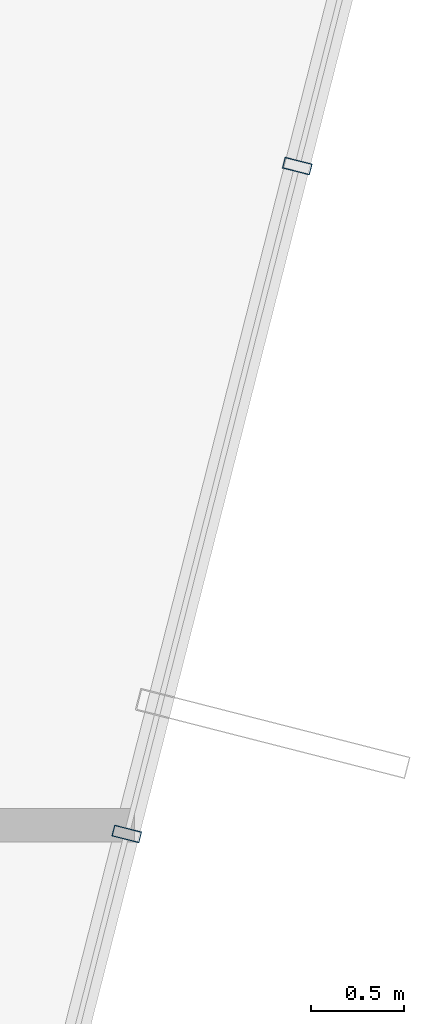
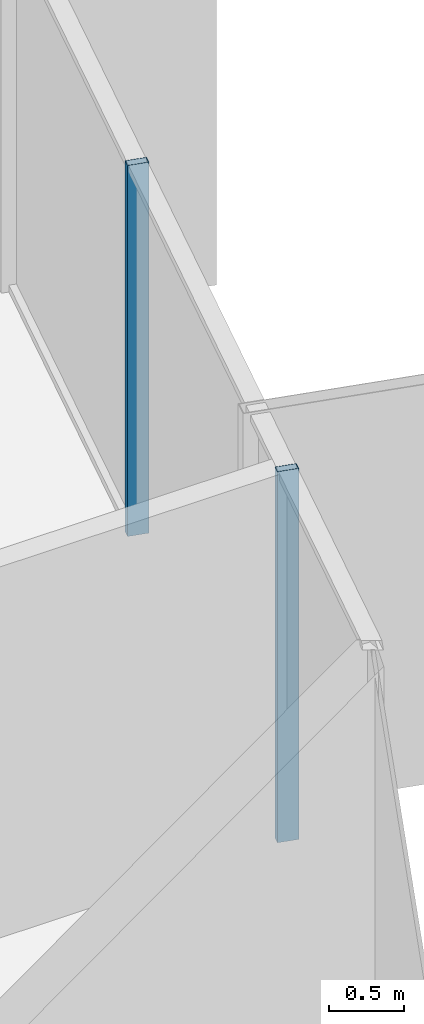
# One storey, part 18 of 29: 2 members, 1 element without a shape of its own.
"""IFC4 building model written with IfcOpenShell, lengths in metres."""

from ifc_helpers import new_model, si_unit, direction, frame, origin, origin_2d, place, context, subcontext, project, spatial, hollow_rectangle, extrude, source, transform, mapped, material, layer, layer_set, material_profile, profile_set, type_object, element, aggregate, save


model = new_model("IFC4")

# Units and contexts
model_context = context("Model", 3, precision=1e-05, world=origin(), true_north=direction((0.0, 1.0)))
body_context = subcontext(model_context, "Body", "Model", "MODEL_VIEW")
ifc_project = project(units=[si_unit("LENGTHUNIT", "METRE"), si_unit("AREAUNIT", "SQUARE_METRE"), si_unit("VOLUMEUNIT", "CUBIC_METRE"), si_unit("PLANEANGLEUNIT", "RADIAN"), si_unit("MASSUNIT", "GRAM", prefix="KILO")], contexts=[model_context])

# Site, building, storey
site_placement = place(None, origin())
site = spatial("IfcSite", under=ifc_project, at=site_placement, CompositionType="ELEMENT")
building_placement = place(site_placement, origin())
building = spatial("IfcBuilding", under=site, at=building_placement, Name="Veraguas Prism Commons", CompositionType="ELEMENT")
storey_placement = place(building_placement, frame((0.0, 0.0, 257.75)))
storey = spatial("IfcBuildingStorey", under=building, at=storey_placement, Name="L73", CompositionType="ELEMENT", Elevation=257.75)

# Curtain wall, members
ifc_material = material(Name="Anodised aluminium EN AW-6063 T6", Category="aluminium")
ifc_layer = layer(ifc_material, 0.14990234375, Name="Unitised Flush Curtain Wall Zone 4", Category="aluminium")
ifc_layer_set = layer_set([ifc_layer], Name="Anodised aluminium EN AW-6063 T6")
curtain_wall_type = type_object("IfcCurtainWallType", Name="Unitised Flush Curtain Wall Zone 4", PredefinedType="NOTDEFINED", material=ifc_layer_set)
curtain_wall_placement = place(storey_placement, origin())
curtain_wall = element("IfcCurtainWall", 1, at=curtain_wall_placement, inside=storey, type_object=curtain_wall_type, Name="Tower Facade Curtain Wall L73-F6", PredefinedType="NOTDEFINED")
ifc_material_profile = material_profile(ifc_material, hollow_rectangle(XDim=0.06005859375, YDim=0.14990234375, WallThickness=0.0029296875, at=origin_2d()), Name="AL60X150X3")
ifc_profile_set = profile_set([ifc_material_profile], Name="Anodised aluminium EN AW-6063 T6")
member_type = type_object("IfcMemberType", Name="Curtain Wall Mullion Upper AL 60x150x3", PredefinedType="MULLION", material=ifc_profile_set)
shared_shape = source(origin(), body_context, "Body", "SweptSolid", [
    extrude(hollow_rectangle(XDim=0.06005859375, YDim=0.14990234375, WallThickness=0.0029296875, at=origin_2d()), origin(), (0.0, 0.0, 1.0), 3.014892578125),
])
member_1_placement = place(storey_placement, frame((39.0302734375, 16.353271484375, 0.0), z_axis=(0.0, 0.0, 1.0), x_axis=(0.247338939069, 0.968929021766, 0.0)))
member_1 = element("IfcMember", 2, at=member_1_placement, type_object=member_type, Name="CW-Z4 Mullion 2", PredefinedType="MULLION", context=body_context, shape_type="MappedRepresentation", body=[
    mapped(shared_shape, transform((0.0, 0.0, 0.0), scale=1.0)),
])
member_2_placement = place(storey_placement, frame((39.943359375, 19.93017578125, 0.0), z_axis=(0.0, 0.0, 1.0), x_axis=(0.247338939069, 0.968929021766, 0.0)))
member_2 = element("IfcMember", 3, at=member_2_placement, type_object=member_type, Name="CW-Z4 Mullion 3", PredefinedType="MULLION", context=body_context, shape_type="MappedRepresentation", body=[
    mapped(shared_shape, transform((0.0, 0.0, 0.0), scale=1.0)),
])
aggregate(curtain_wall, [member_1, member_2])

save(model, "model.ifc")
